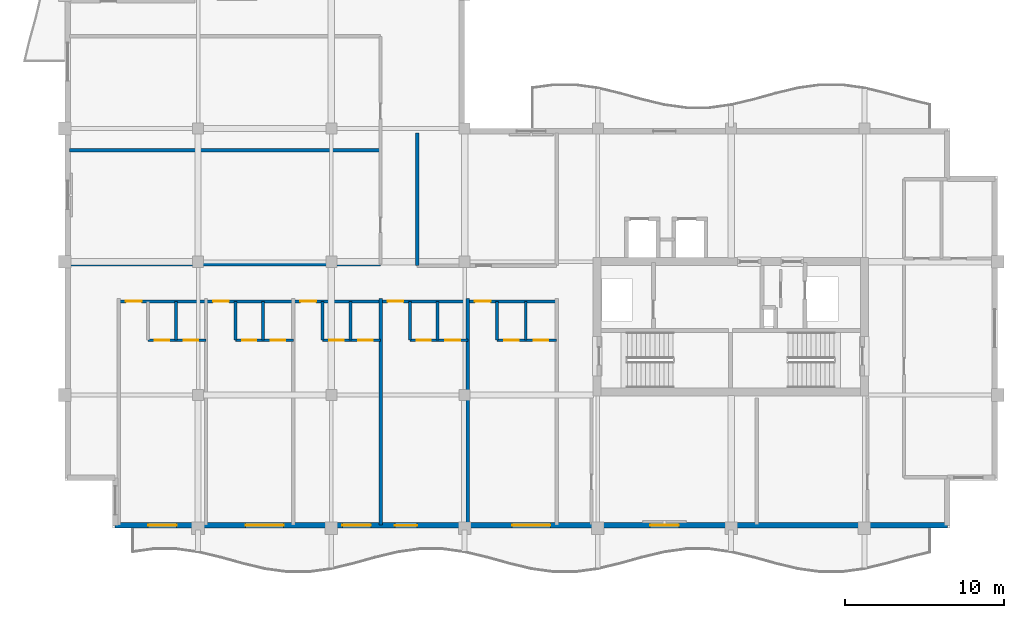
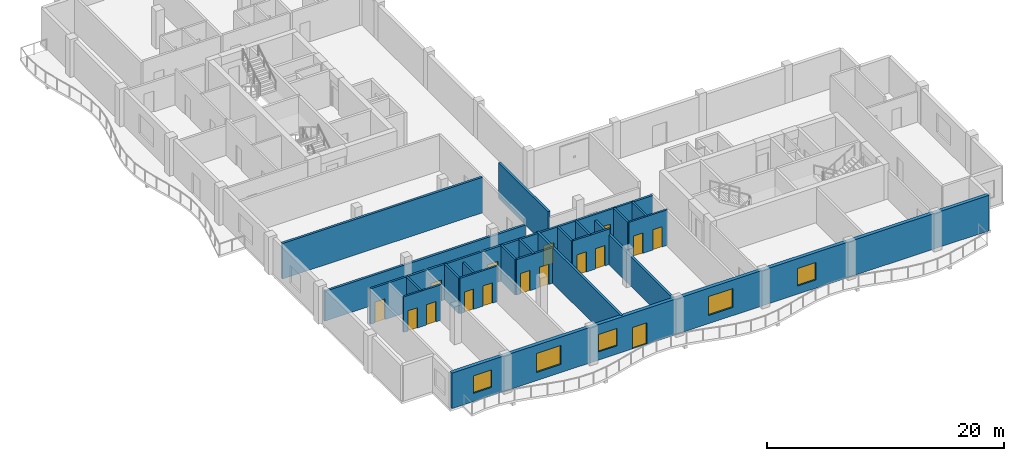
# One storey, part 3 of 12: 21 walls, 16 doors, 5 windows, 21 openings.
"""IFC4 building model written with IfcOpenShell, lengths in metres."""

from ifc_helpers import new_model, si_unit, direction, frame, frame_2d, origin, place, context, subcontext, project, spatial, rectangle, extrude, material, layer, layer_set, type_object, element, fill, save


model = new_model("IFC4")

# Units and contexts
model_context = context("Model", 3, precision=1e-05, world=origin(), true_north=direction((0.0, 1.0)))
body_context = subcontext(model_context, "Body", "Model", "MODEL_VIEW")
ifc_project = project(units=[si_unit("LENGTHUNIT", "METRE"), si_unit("AREAUNIT", "SQUARE_METRE"), si_unit("VOLUMEUNIT", "CUBIC_METRE"), si_unit("PLANEANGLEUNIT", "RADIAN"), si_unit("MASSUNIT", "GRAM", prefix="KILO")], contexts=[model_context])

# Site, building, storey
site_placement = place(None, origin())
site = spatial("IfcSite", under=ifc_project, at=site_placement, CompositionType="ELEMENT")
building_placement = place(site_placement, origin())
building = spatial("IfcBuilding", under=site, at=building_placement, Name="Koriwani Terraces Tower", CompositionType="ELEMENT")
storey_placement = place(building_placement, frame((0.0, 0.0, 351.5)))
storey = spatial("IfcBuildingStorey", under=building, at=storey_placement, Name="L87", CompositionType="ELEMENT", Elevation=351.5)

# Wall, openings, doors
ifc_material_1 = material(Name="Autoclaved Cellular Concrete Blockwork", Category="masonry")
ifc_layer_1 = layer(ifc_material_1, 0.199951171875, Name="Autoclaved Cellular Concrete Blockwork")
ifc_layer_set_1 = layer_set([ifc_layer_1], Name="Autoclaved Cellular Concrete Blockwork")
wall_type_1 = type_object("IfcWallType", Name="WALL_CORRIDOR_200", PredefinedType="PARTITIONING", material=ifc_layer_set_1)
wall_1_placement = place(storey_placement, frame((11.800048828125, 22.699951171875, 0.0), z_axis=(0.0, 0.0, 1.0), x_axis=(1.0, 0.0, 0.0)))
wall_1 = element("IfcWall", 1, at=wall_1_placement, inside=storey, type_object=wall_type_1, Name="L87 Interior Wall WRCOR-L87-SW-0", PredefinedType="PARTITIONING", context=body_context, shape_type="SweptSolid", body=[
    extrude(rectangle(XDim=27.599853515625, YDim=0.199951171875, at=frame_2d((13.7998046875, 0.0))), origin(), (0.0, 0.0, 1.0), 3.669921875),
])
opening_1_placement = place(wall_1_placement, frame((0.445068359375, 0.0, 0.0)))
opening_1 = element("IfcOpeningElement", 2, at=opening_1_placement, cuts=wall_1, Name="Opening D-05", PredefinedType="OPENING", context=body_context, shape_type="SweptSolid", body=[
    extrude(rectangle(XDim=1.0, YDim=2.14990234375, at=frame_2d((0.5, 1.074951171875))), frame((0.0, 0.10986328125, 0.0), z_axis=(0.0, -1.0, 0.0), x_axis=(1.0, 0.0, 0.0)), (0.0, 0.0, 1.0), 0.219970703125),
])
opening_2_placement = place(wall_1_placement, frame((5.945068359375, 0.0, 0.0)))
opening_2 = element("IfcOpeningElement", 3, at=opening_2_placement, cuts=wall_1, Name="Opening D-05", PredefinedType="OPENING", context=body_context, shape_type="SweptSolid", body=[
    extrude(rectangle(XDim=1.0, YDim=2.14990234375, at=frame_2d((0.5, 1.074951171875))), frame((0.0, 0.10986328125, 0.0), z_axis=(0.0, -1.0, 0.0), x_axis=(1.0, 0.0, 0.0)), (0.0, 0.0, 1.0), 0.219970703125),
])
opening_3_placement = place(wall_1_placement, frame((11.445068359375, 0.0, 0.0)))
opening_3 = element("IfcOpeningElement", 4, at=opening_3_placement, cuts=wall_1, Name="Opening D-05", PredefinedType="OPENING", context=body_context, shape_type="SweptSolid", body=[
    extrude(rectangle(XDim=1.0, YDim=2.14990234375, at=frame_2d((0.5, 1.074951171875))), frame((0.0, 0.10986328125, 0.0), z_axis=(0.0, -1.0, 0.0), x_axis=(1.0, 0.0, 0.0)), (0.0, 0.0, 1.0), 0.219970703125),
])
opening_4_placement = place(wall_1_placement, frame((16.945068359375, 0.0, 0.0)))
opening_4 = element("IfcOpeningElement", 5, at=opening_4_placement, cuts=wall_1, Name="Opening D-05", PredefinedType="OPENING", context=body_context, shape_type="SweptSolid", body=[
    extrude(rectangle(XDim=1.0, YDim=2.14990234375, at=frame_2d((0.5, 1.074951171875))), frame((0.0, 0.10986328125, 0.0), z_axis=(0.0, -1.0, 0.0), x_axis=(1.0, 0.0, 0.0)), (0.0, 0.0, 1.0), 0.219970703125),
])
opening_5_placement = place(wall_1_placement, frame((22.445068359375, 0.0, 0.0)))
opening_5 = element("IfcOpeningElement", 6, at=opening_5_placement, cuts=wall_1, Name="Opening D-05", PredefinedType="OPENING", context=body_context, shape_type="SweptSolid", body=[
    extrude(rectangle(XDim=1.0, YDim=2.14990234375, at=frame_2d((0.5, 1.074951171875))), frame((0.0, 0.10986328125, 0.0), z_axis=(0.0, -1.0, 0.0), x_axis=(1.0, 0.0, 0.0)), (0.0, 0.0, 1.0), 0.219970703125),
])
ifc_material_2 = material(Name="Architectural Oak Fire Door", Category="wood")
door_type_1 = type_object("IfcDoorType", Name="DOOR_SUITE_ENTRY_1000X2150", OperationType="NOTDEFINED", PredefinedType="DOOR", material=ifc_material_2)
door_1_placement = place(opening_1_placement, origin())
door_1 = element("IfcDoor", 7, at=door_1_placement, inside=storey, type_object=door_type_1, Name="Apartment 87SW1 Entrance Door", OperationType="SINGLE_SWING_RIGHT", OverallHeight=2.14990234375, OverallWidth=1.0, PredefinedType="DOOR", context=body_context, shape_type="SweptSolid", body=[
    extrude(rectangle(XDim=1.0, YDim=2.14990234375, at=frame_2d((0.5, 1.074951171875))), frame((0.0, 0.02490234375, 0.0), z_axis=(0.0, -1.0, 0.0), x_axis=(1.0, 0.0, 0.0)), (0.0, 0.0, 1.0), 0.050048828125),
])
fill(opening_1, door_1)
door_2_placement = place(opening_2_placement, origin())
door_2 = element("IfcDoor", 8, at=door_2_placement, inside=storey, type_object=door_type_1, Name="Apartment 87SW2 Entrance Door", OperationType="SINGLE_SWING_LEFT", OverallHeight=2.14990234375, OverallWidth=1.0, PredefinedType="DOOR", context=body_context, shape_type="SweptSolid", body=[
    extrude(rectangle(XDim=1.0, YDim=2.14990234375, at=frame_2d((0.5, 1.074951171875))), frame((0.0, 0.02490234375, 0.0), z_axis=(0.0, -1.0, 0.0), x_axis=(1.0, 0.0, 0.0)), (0.0, 0.0, 1.0), 0.050048828125),
])
fill(opening_2, door_2)
door_3_placement = place(opening_3_placement, origin())
door_3 = element("IfcDoor", 9, at=door_3_placement, inside=storey, type_object=door_type_1, Name="Apartment 87SW3 Entrance Door", OperationType="SINGLE_SWING_RIGHT", OverallHeight=2.14990234375, OverallWidth=1.0, PredefinedType="DOOR", context=body_context, shape_type="SweptSolid", body=[
    extrude(rectangle(XDim=1.0, YDim=2.14990234375, at=frame_2d((0.5, 1.074951171875))), frame((0.0, 0.02490234375, 0.0), z_axis=(0.0, -1.0, 0.0), x_axis=(1.0, 0.0, 0.0)), (0.0, 0.0, 1.0), 0.050048828125),
])
fill(opening_3, door_3)
door_4_placement = place(opening_4_placement, origin())
door_4 = element("IfcDoor", 10, at=door_4_placement, inside=storey, type_object=door_type_1, Name="Apartment 87SW4 Entrance Door", OperationType="SINGLE_SWING_LEFT", OverallHeight=2.14990234375, OverallWidth=1.0, PredefinedType="DOOR", context=body_context, shape_type="SweptSolid", body=[
    extrude(rectangle(XDim=1.0, YDim=2.14990234375, at=frame_2d((0.5, 1.074951171875))), frame((0.0, 0.02490234375, 0.0), z_axis=(0.0, -1.0, 0.0), x_axis=(1.0, 0.0, 0.0)), (0.0, 0.0, 1.0), 0.050048828125),
])
fill(opening_4, door_4)
door_5_placement = place(opening_5_placement, origin())
door_5 = element("IfcDoor", 11, at=door_5_placement, inside=storey, type_object=door_type_1, Name="Apartment 87SW5 Entrance Door", OperationType="SINGLE_SWING_RIGHT", OverallHeight=2.14990234375, OverallWidth=1.0, PredefinedType="DOOR", context=body_context, shape_type="SweptSolid", body=[
    extrude(rectangle(XDim=1.0, YDim=2.14990234375, at=frame_2d((0.5, 1.074951171875))), frame((0.0, 0.02490234375, 0.0), z_axis=(0.0, -1.0, 0.0), x_axis=(1.0, 0.0, 0.0)), (0.0, 0.0, 1.0), 0.050048828125),
])
fill(opening_5, door_5)

# Walls
ifc_layer_2 = layer(ifc_material_1, 0.219970703125, Name="Autoclaved Cellular Concrete Blockwork")
ifc_layer_set_2 = layer_set([ifc_layer_2], Name="Autoclaved Cellular Concrete Blockwork")
wall_type_2 = type_object("IfcWallType", Name="WALL_DEMISING_220", PredefinedType="PARTITIONING", material=ifc_layer_set_2)
wall_2_placement = place(storey_placement, frame((30.60009765625, 24.949951171875, 0.0), z_axis=(0.0, 0.0, 1.0), x_axis=(0.0, 1.0, 0.0)))
element("IfcWall", 12, at=wall_2_placement, inside=storey, type_object=wall_type_2, Name="L87 Interior Wall WIC4SW-L87", PredefinedType="PARTITIONING", context=body_context, shape_type="SweptSolid", body=[
    extrude(rectangle(XDim=8.35009765625, YDim=0.219970703125, at=frame_2d((4.175048828125, 0.0))), origin(), (0.0, 0.0, 1.0), 3.669921875),
])
wall_3_placement = place(storey_placement, frame((28.300048828125, 8.60009765625, 0.0), z_axis=(0.0, 0.0, 1.0), x_axis=(0.0, 1.0, 0.0)))
element("IfcWall", 13, at=wall_3_placement, inside=storey, type_object=wall_type_2, Name="L87 Interior Wall WRDEM-L87-SW-3", PredefinedType="PARTITIONING", context=body_context, shape_type="SweptSolid", body=[
    extrude(rectangle(XDim=14.27978515625, YDim=0.219970703125, at=frame_2d((7.139892578125, 0.0))), origin(), (0.0, 0.0, 1.0), 3.669921875),
])
wall_4_placement = place(storey_placement, frame((33.800048828125, 8.60009765625, 0.0), z_axis=(0.0, 0.0, 1.0), x_axis=(0.0, 1.0, 0.0)))
element("IfcWall", 14, at=wall_4_placement, inside=storey, type_object=wall_type_2, Name="L87 Interior Wall WRDEM-L87-SW-4", PredefinedType="PARTITIONING", context=body_context, shape_type="SweptSolid", body=[
    extrude(rectangle(XDim=14.27978515625, YDim=0.219970703125, at=frame_2d((7.139892578125, 0.0))), origin(), (0.0, 0.0, 1.0), 3.070068359375),
])
wall_5_placement = place(storey_placement, frame((8.699951171875, 25.050048828125, 0.0), z_axis=(0.0, 0.0, 1.0), x_axis=(1.0, 0.0, 0.0)))
element("IfcWall", 15, at=wall_5_placement, inside=storey, type_object=wall_type_2, Name="L87 Interior Wall WZ4NES-L87", PredefinedType="PARTITIONING", context=body_context, shape_type="SweptSolid", body=[
    extrude(rectangle(XDim=19.60009765625, YDim=0.219970703125, at=frame_2d((9.800048828125, 0.0))), origin(), (0.0, 0.0, 1.0), 3.070068359375),
])
wall_6_placement = place(storey_placement, frame((8.699951171875, 32.22509765625, 0.0), z_axis=(0.0, 0.0, 1.0), x_axis=(1.0, 0.0, 0.0)))
element("IfcWall", 16, at=wall_6_placement, inside=storey, type_object=wall_type_2, Name="L87 Interior Wall WZ4NEM-L87", PredefinedType="PARTITIONING", context=body_context, shape_type="SweptSolid", body=[
    extrude(rectangle(XDim=19.60009765625, YDim=0.219970703125, at=frame_2d((9.800048828125, 0.0))), origin(), (0.0, 0.0, 1.0), 3.669921875),
])

# Wall, openings, door, windows
ifc_material_3 = material(Name="Concrete C50/60", Category="concrete")
ifc_layer_3 = layer(ifc_material_3, 0.35009765625, Name="Concrete C50/60")
ifc_layer_set_3 = layer_set([ifc_layer_3], Name="Concrete C50/60")
wall_type_3 = type_object("IfcWallType", Name="WALL_EXT_BRUTALIST_350", PredefinedType="STANDARD", material=ifc_layer_set_3)
wall_7_placement = place(storey_placement, frame((64.02490234375, 8.574951171875, 0.0), z_axis=(0.0, 0.0, 1.0), x_axis=(-1.0, 0.0, 0.0)))
wall_7 = element("IfcWall", 17, at=wall_7_placement, inside=storey, type_object=wall_type_3, Name="L87 Fair-Faced Brutalist Exterior Wall (S)", PredefinedType="STANDARD", context=body_context, shape_type="SweptSolid", body=[
    extrude(rectangle(XDim=52.449951171875, YDim=0.35009765625, at=frame_2d((26.22509765625, 0.0))), origin(), (0.0, 0.0, 1.0), 3.669921875),
])
opening_6_placement = place(wall_7_placement, frame((33.425048828125, 0.0, 0.0)))
opening_6 = element("IfcOpeningElement", 18, at=opening_6_placement, cuts=wall_7, Name="Opening D-09", PredefinedType="OPENING", context=body_context, shape_type="SweptSolid", body=[
    extrude(rectangle(XDim=1.39990234375, YDim=2.199951171875, at=frame_2d((0.699951171875, 1.10009765625))), frame((0.0, 0.18505859375, 0.0), z_axis=(0.0, -1.0, 0.0), x_axis=(1.0, 0.0, 0.0)), (0.0, 0.0, 1.0), 0.3701171875),
])
opening_7_placement = place(wall_7_placement, frame((41.824951171875, 0.0, 0.85009765625)))
opening_7 = element("IfcOpeningElement", 19, at=opening_7_placement, cuts=wall_7, Name="Opening W-03", PredefinedType="OPENING", context=body_context, shape_type="SweptSolid", body=[
    extrude(rectangle(XDim=2.39990234375, YDim=1.949951171875, at=frame_2d((1.199951171875, 0.97509765625))), frame((0.0, 0.18505859375, 0.0), z_axis=(0.0, -1.0, 0.0), x_axis=(1.0, 0.0, 0.0)), (0.0, 0.0, 1.0), 0.3701171875),
])
opening_8_placement = place(wall_7_placement, frame((25.02490234375, 0.0, 0.85009765625)))
opening_8 = element("IfcOpeningElement", 20, at=opening_8_placement, cuts=wall_7, Name="Opening W-03", PredefinedType="OPENING", context=body_context, shape_type="SweptSolid", body=[
    extrude(rectangle(XDim=2.39990234375, YDim=1.949951171875, at=frame_2d((1.199951171875, 0.97509765625))), frame((0.0, 0.18505859375, 0.0), z_axis=(0.0, -1.0, 0.0), x_axis=(1.0, 0.0, 0.0)), (0.0, 0.0, 1.0), 0.3701171875),
])
opening_9_placement = place(wall_7_placement, frame((16.925048828125, 0.0, 0.85009765625)))
opening_9 = element("IfcOpeningElement", 21, at=opening_9_placement, cuts=wall_7, Name="Opening W-04", PredefinedType="OPENING", context=body_context, shape_type="SweptSolid", body=[
    extrude(rectangle(XDim=1.800048828125, YDim=1.800048828125, at=frame_2d((0.89990234375, 0.89990234375))), frame((0.0, 0.18505859375, 0.0), z_axis=(0.0, -1.0, 0.0), x_axis=(1.0, 0.0, 0.0)), (0.0, 0.0, 1.0), 0.3701171875),
])
opening_10_placement = place(wall_7_placement, frame((48.574951171875, 0.0, 0.85009765625)))
opening_10 = element("IfcOpeningElement", 22, at=opening_10_placement, cuts=wall_7, Name="Opening W-04", PredefinedType="OPENING", context=body_context, shape_type="SweptSolid", body=[
    extrude(rectangle(XDim=1.800048828125, YDim=1.800048828125, at=frame_2d((0.89990234375, 0.89990234375))), frame((0.0, 0.18505859375, 0.0), z_axis=(0.0, -1.0, 0.0), x_axis=(1.0, 0.0, 0.0)), (0.0, 0.0, 1.0), 0.3701171875),
])
opening_11_placement = place(wall_7_placement, frame((36.324951171875, 0.0, 0.85009765625)))
opening_11 = element("IfcOpeningElement", 23, at=opening_11_placement, cuts=wall_7, Name="Opening W-04", PredefinedType="OPENING", context=body_context, shape_type="SweptSolid", body=[
    extrude(rectangle(XDim=1.800048828125, YDim=1.800048828125, at=frame_2d((0.89990234375, 0.89990234375))), frame((0.0, 0.18505859375, 0.0), z_axis=(0.0, -1.0, 0.0), x_axis=(1.0, 0.0, 0.0)), (0.0, 0.0, 1.0), 0.3701171875),
])
ifc_material_4 = material(Name="Anodised Bronze Aluminium", Category="aluminium")
door_type_2 = type_object("IfcDoorType", Name="DOOR_BALCONY_GLAZED_1400X2200", OperationType="NOTDEFINED", PredefinedType="DOOR", material=ifc_material_4)
door_6_placement = place(opening_6_placement, origin())
door_6 = element("IfcDoor", 24, at=door_6_placement, inside=storey, type_object=door_type_2, Name="L87 South Balcony Glazed Door", OperationType="SINGLE_SWING_LEFT", OverallHeight=2.199951171875, OverallWidth=1.39990234375, PredefinedType="DOOR", context=body_context, shape_type="SweptSolid", body=[
    extrude(rectangle(XDim=1.39990234375, YDim=2.199951171875, at=frame_2d((0.699951171875, 1.10009765625))), frame((0.0, 0.02490234375, 0.0), z_axis=(0.0, -1.0, 0.0), x_axis=(1.0, 0.0, 0.0)), (0.0, 0.0, 1.0), 0.050048828125),
])
fill(opening_6, door_6)
ifc_material_5 = material(Name="Tempered Laminated Low-E Glass", Category="glass")
window_type_1 = type_object("IfcWindowType", Name="WIN_RES_BED_1800X1800", PartitioningType="DOUBLE_PANEL_VERTICAL", PredefinedType="WINDOW", material=ifc_material_5)
window_1_placement = place(opening_9_placement, origin())
window_1 = element("IfcWindow", 25, at=window_1_placement, inside=storey, type_object=window_type_1, Name="L87 Exterior Window (S-12)", OverallHeight=1.800048828125, OverallWidth=1.800048828125, PartitioningType="SINGLE_PANEL", PredefinedType="WINDOW", context=body_context, shape_type="SweptSolid", body=[
    extrude(rectangle(XDim=1.800048828125, YDim=1.800048828125, at=frame_2d((0.89990234375, 0.89990234375))), frame((0.0, 0.030029296875, 0.0), z_axis=(0.0, -1.0, 0.0), x_axis=(1.0, 0.0, 0.0)), (0.0, 0.0, 1.0), 0.06005859375),
])
fill(opening_9, window_1)
window_2_placement = place(opening_10_placement, origin())
window_2 = element("IfcWindow", 26, at=window_2_placement, inside=storey, type_object=window_type_1, Name="L87 Exterior Window (S-R32)", OverallHeight=1.800048828125, OverallWidth=1.800048828125, PartitioningType="SINGLE_PANEL", PredefinedType="WINDOW", context=body_context, shape_type="SweptSolid", body=[
    extrude(rectangle(XDim=1.800048828125, YDim=1.800048828125, at=frame_2d((0.89990234375, 0.89990234375))), frame((0.0, 0.030029296875, 0.0), z_axis=(0.0, -1.0, 0.0), x_axis=(1.0, 0.0, 0.0)), (0.0, 0.0, 1.0), 0.06005859375),
])
fill(opening_10, window_2)
window_3_placement = place(opening_11_placement, origin())
window_3 = element("IfcWindow", 27, at=window_3_placement, inside=storey, type_object=window_type_1, Name="L87 Exterior Window (S-R38)", OverallHeight=1.800048828125, OverallWidth=1.800048828125, PartitioningType="SINGLE_PANEL", PredefinedType="WINDOW", context=body_context, shape_type="SweptSolid", body=[
    extrude(rectangle(XDim=1.800048828125, YDim=1.800048828125, at=frame_2d((0.89990234375, 0.89990234375))), frame((0.0, 0.030029296875, 0.0), z_axis=(0.0, -1.0, 0.0), x_axis=(1.0, 0.0, 0.0)), (0.0, 0.0, 1.0), 0.06005859375),
])
fill(opening_11, window_3)
window_type_2 = type_object("IfcWindowType", Name="WIN_RES_LIVING_2400X1950", PartitioningType="DOUBLE_PANEL_VERTICAL", PredefinedType="WINDOW", material=ifc_material_5)
window_4_placement = place(opening_7_placement, origin())
window_4 = element("IfcWindow", 28, at=window_4_placement, inside=storey, type_object=window_type_2, Name="L87 Exterior Window (S-3)", OverallHeight=1.949951171875, OverallWidth=2.39990234375, PartitioningType="SINGLE_PANEL", PredefinedType="WINDOW", context=body_context, shape_type="SweptSolid", body=[
    extrude(rectangle(XDim=2.39990234375, YDim=1.949951171875, at=frame_2d((1.199951171875, 0.97509765625))), frame((0.0, 0.030029296875, 0.0), z_axis=(0.0, -1.0, 0.0), x_axis=(1.0, 0.0, 0.0)), (0.0, 0.0, 1.0), 0.06005859375),
])
fill(opening_7, window_4)
window_5_placement = place(opening_8_placement, origin())
window_5 = element("IfcWindow", 29, at=window_5_placement, inside=storey, type_object=window_type_2, Name="L87 Exterior Window (S-9)", OverallHeight=1.949951171875, OverallWidth=2.39990234375, PartitioningType="SINGLE_PANEL", PredefinedType="WINDOW", context=body_context, shape_type="SweptSolid", body=[
    extrude(rectangle(XDim=2.39990234375, YDim=1.949951171875, at=frame_2d((1.199951171875, 0.97509765625))), frame((0.0, 0.030029296875, 0.0), z_axis=(0.0, -1.0, 0.0), x_axis=(1.0, 0.0, 0.0)), (0.0, 0.0, 1.0), 0.06005859375),
])
fill(opening_8, window_5)

# Wall, openings, doors
ifc_material_6 = material(Name="Fire-Rated Acoustic Gypsum Partition", Category="masonry")
ifc_layer_4 = layer(ifc_material_6, 0.179931640625, Name="Fire-Rated Acoustic Gypsum Partition")
ifc_layer_set_4 = layer_set([ifc_layer_4], Name="Fire-Rated Acoustic Gypsum Partition")
wall_type_4 = type_object("IfcWallType", Name="WALL_PLUMBING_180", PredefinedType="PLUMBINGWALL", material=ifc_layer_set_4)
wall_8_placement = place(storey_placement, frame((13.64990234375, 20.25, 0.0), z_axis=(0.0, 0.0, 1.0), x_axis=(1.0, 0.0, 0.0)))
wall_8 = element("IfcWall", 30, at=wall_8_placement, inside=storey, type_object=wall_type_4, Name="L87 Interior Wall WRSVC-L87-SW-0", PredefinedType="PLUMBINGWALL", context=body_context, shape_type="SweptSolid", body=[
    extrude(rectangle(XDim=3.650146484375, YDim=0.179931640625, at=frame_2d((1.8251953125, 0.0))), origin(), (0.0, 0.0, 1.0), 3.669921875),
])
opening_12_placement = place(wall_8_placement, frame((0.426025390625, 0.0, 0.0)))
opening_12 = element("IfcOpeningElement", 31, at=opening_12_placement, cuts=wall_8, Name="Opening D-07", PredefinedType="OPENING", context=body_context, shape_type="SweptSolid", body=[
    extrude(rectangle(XDim=0.89990234375, YDim=2.10009765625, at=frame_2d((0.449951171875, 1.050048828125))), frame((0.0, 0.10009765625, 0.0), z_axis=(0.0, -1.0, 0.0), x_axis=(1.0, 0.0, 0.0)), (0.0, 0.0, 1.0), 0.199951171875),
])
opening_13_placement = place(wall_8_placement, frame((2.240966796875, 0.0, 0.0)))
opening_13 = element("IfcOpeningElement", 32, at=opening_13_placement, cuts=wall_8, Name="Opening D-06", PredefinedType="OPENING", context=body_context, shape_type="SweptSolid", body=[
    extrude(rectangle(XDim=0.919921875, YDim=2.10009765625, at=frame_2d((0.4599609375, 1.050048828125))), frame((0.0, 0.10009765625, 0.0), z_axis=(0.0, -1.0, 0.0), x_axis=(1.0, 0.0, 0.0)), (0.0, 0.0, 1.0), 0.199951171875),
])
door_type_3 = type_object("IfcDoorType", Name="DOOR_BATH_INT_900X2100", OperationType="NOTDEFINED", PredefinedType="DOOR", material=ifc_material_2)
door_7_placement = place(opening_12_placement, origin())
door_7 = element("IfcDoor", 33, at=door_7_placement, inside=storey, type_object=door_type_3, Name="Apartment 87SW1 Bathroom Door", OperationType="SINGLE_SWING_LEFT", OverallHeight=2.10009765625, OverallWidth=0.89990234375, PredefinedType="DOOR", context=body_context, shape_type="SweptSolid", body=[
    extrude(rectangle(XDim=0.89990234375, YDim=2.10009765625, at=frame_2d((0.449951171875, 1.050048828125))), frame((0.0, 0.02490234375, 0.0), z_axis=(0.0, -1.0, 0.0), x_axis=(1.0, 0.0, 0.0)), (0.0, 0.0, 1.0), 0.050048828125),
])
fill(opening_12, door_7)
door_type_4 = type_object("IfcDoorType", Name="DOOR_ROOM_INT_920X2100", OperationType="NOTDEFINED", PredefinedType="DOOR", material=ifc_material_2)
door_8_placement = place(opening_13_placement, origin())
door_8 = element("IfcDoor", 34, at=door_8_placement, inside=storey, type_object=door_type_4, Name="Apartment 87SW1 Kitchen Door", OperationType="SINGLE_SWING_RIGHT", OverallHeight=2.10009765625, OverallWidth=0.919921875, PredefinedType="DOOR", context=body_context, shape_type="SweptSolid", body=[
    extrude(rectangle(XDim=0.919921875, YDim=2.10009765625, at=frame_2d((0.4599609375, 1.050048828125))), frame((0.0, 0.02490234375, 0.0), z_axis=(0.0, -1.0, 0.0), x_axis=(1.0, 0.0, 0.0)), (0.0, 0.0, 1.0), 0.050048828125),
])
fill(opening_13, door_8)

# Wall
wall_9_placement = place(storey_placement, frame((15.402099609375, 20.25, 0.0), z_axis=(0.0, 0.0, 1.0), x_axis=(0.0, 1.0, 0.0)))
element("IfcWall", 35, at=wall_9_placement, inside=storey, type_object=wall_type_4, Name="L87 Interior Wall WRSVCM-L87-SW-0", PredefinedType="PLUMBINGWALL", context=body_context, shape_type="SweptSolid", body=[
    extrude(rectangle(XDim=2.449951171875, YDim=0.179931640625, at=frame_2d((1.22509765625, 0.0))), origin(), (0.0, 0.0, 1.0), 3.669921875),
])

# Wall, openings, doors
wall_10_placement = place(storey_placement, frame((19.14990234375, 20.25, 0.0), z_axis=(0.0, 0.0, 1.0), x_axis=(1.0, 0.0, 0.0)))
wall_10 = element("IfcWall", 36, at=wall_10_placement, inside=storey, type_object=wall_type_4, Name="L87 Interior Wall WRSVC-L87-SW-1", PredefinedType="PLUMBINGWALL", context=body_context, shape_type="SweptSolid", body=[
    extrude(rectangle(XDim=3.650146484375, YDim=0.179931640625, at=frame_2d((1.8251953125, 0.0))), origin(), (0.0, 0.0, 1.0), 3.669921875),
])
opening_14_placement = place(wall_10_placement, frame((0.426025390625, 0.0, 0.0)))
opening_14 = element("IfcOpeningElement", 37, at=opening_14_placement, cuts=wall_10, Name="Opening D-07", PredefinedType="OPENING", context=body_context, shape_type="SweptSolid", body=[
    extrude(rectangle(XDim=0.89990234375, YDim=2.10009765625, at=frame_2d((0.449951171875, 1.050048828125))), frame((0.0, 0.10009765625, 0.0), z_axis=(0.0, -1.0, 0.0), x_axis=(1.0, 0.0, 0.0)), (0.0, 0.0, 1.0), 0.199951171875),
])
opening_15_placement = place(wall_10_placement, frame((2.240966796875, 0.0, 0.0)))
opening_15 = element("IfcOpeningElement", 38, at=opening_15_placement, cuts=wall_10, Name="Opening D-06", PredefinedType="OPENING", context=body_context, shape_type="SweptSolid", body=[
    extrude(rectangle(XDim=0.919921875, YDim=2.10009765625, at=frame_2d((0.4599609375, 1.050048828125))), frame((0.0, 0.10009765625, 0.0), z_axis=(0.0, -1.0, 0.0), x_axis=(1.0, 0.0, 0.0)), (0.0, 0.0, 1.0), 0.199951171875),
])
door_9_placement = place(opening_14_placement, origin())
door_9 = element("IfcDoor", 39, at=door_9_placement, inside=storey, type_object=door_type_3, Name="Apartment 87SW2 Bathroom Door", OperationType="SINGLE_SWING_RIGHT", OverallHeight=2.10009765625, OverallWidth=0.89990234375, PredefinedType="DOOR", context=body_context, shape_type="SweptSolid", body=[
    extrude(rectangle(XDim=0.89990234375, YDim=2.10009765625, at=frame_2d((0.449951171875, 1.050048828125))), frame((0.0, 0.02490234375, 0.0), z_axis=(0.0, -1.0, 0.0), x_axis=(1.0, 0.0, 0.0)), (0.0, 0.0, 1.0), 0.050048828125),
])
fill(opening_14, door_9)
door_10_placement = place(opening_15_placement, origin())
door_10 = element("IfcDoor", 40, at=door_10_placement, inside=storey, type_object=door_type_4, Name="Apartment 87SW2 Kitchen Door", OperationType="SINGLE_SWING_LEFT", OverallHeight=2.10009765625, OverallWidth=0.919921875, PredefinedType="DOOR", context=body_context, shape_type="SweptSolid", body=[
    extrude(rectangle(XDim=0.919921875, YDim=2.10009765625, at=frame_2d((0.4599609375, 1.050048828125))), frame((0.0, 0.02490234375, 0.0), z_axis=(0.0, -1.0, 0.0), x_axis=(1.0, 0.0, 0.0)), (0.0, 0.0, 1.0), 0.050048828125),
])
fill(opening_15, door_10)

# Walls
wall_11_placement = place(storey_placement, frame((19.14990234375, 20.25, 0.0), z_axis=(0.0, 0.0, 1.0), x_axis=(0.0, 1.0, 0.0)))
element("IfcWall", 41, at=wall_11_placement, inside=storey, type_object=wall_type_4, Name="L87 Interior Wall WRSVCS-L87-SW-1", PredefinedType="PLUMBINGWALL", context=body_context, shape_type="SweptSolid", body=[
    extrude(rectangle(XDim=2.449951171875, YDim=0.179931640625, at=frame_2d((1.22509765625, 0.0))), origin(), (0.0, 0.0, 1.0), 3.669921875),
])
wall_12_placement = place(storey_placement, frame((20.902099609375, 20.25, 0.0), z_axis=(0.0, 0.0, 1.0), x_axis=(0.0, 1.0, 0.0)))
element("IfcWall", 42, at=wall_12_placement, inside=storey, type_object=wall_type_4, Name="L87 Interior Wall WRSVCM-L87-SW-1", PredefinedType="PLUMBINGWALL", context=body_context, shape_type="SweptSolid", body=[
    extrude(rectangle(XDim=2.449951171875, YDim=0.179931640625, at=frame_2d((1.22509765625, 0.0))), origin(), (0.0, 0.0, 1.0), 3.2529296875),
])

# Wall, openings, doors
wall_13_placement = place(storey_placement, frame((24.64990234375, 20.25, 0.0), z_axis=(0.0, 0.0, 1.0), x_axis=(1.0, 0.0, 0.0)))
wall_13 = element("IfcWall", 43, at=wall_13_placement, inside=storey, type_object=wall_type_4, Name="L87 Interior Wall WRSVC-L87-SW-2", PredefinedType="PLUMBINGWALL", context=body_context, shape_type="SweptSolid", body=[
    extrude(rectangle(XDim=3.650146484375, YDim=0.179931640625, at=frame_2d((1.8251953125, 0.0))), origin(), (0.0, 0.0, 1.0), 3.669921875),
])
opening_16_placement = place(wall_13_placement, frame((0.426025390625, 0.0, 0.0)))
opening_16 = element("IfcOpeningElement", 44, at=opening_16_placement, cuts=wall_13, Name="Opening D-07", PredefinedType="OPENING", context=body_context, shape_type="SweptSolid", body=[
    extrude(rectangle(XDim=0.89990234375, YDim=2.10009765625, at=frame_2d((0.449951171875, 1.050048828125))), frame((0.0, 0.10009765625, 0.0), z_axis=(0.0, -1.0, 0.0), x_axis=(1.0, 0.0, 0.0)), (0.0, 0.0, 1.0), 0.199951171875),
])
opening_17_placement = place(wall_13_placement, frame((2.240966796875, 0.0, 0.0)))
opening_17 = element("IfcOpeningElement", 45, at=opening_17_placement, cuts=wall_13, Name="Opening D-06", PredefinedType="OPENING", context=body_context, shape_type="SweptSolid", body=[
    extrude(rectangle(XDim=0.919921875, YDim=2.10009765625, at=frame_2d((0.4599609375, 1.050048828125))), frame((0.0, 0.10009765625, 0.0), z_axis=(0.0, -1.0, 0.0), x_axis=(1.0, 0.0, 0.0)), (0.0, 0.0, 1.0), 0.199951171875),
])
door_11_placement = place(opening_16_placement, origin())
door_11 = element("IfcDoor", 46, at=door_11_placement, inside=storey, type_object=door_type_3, Name="Apartment 87SW3 Bathroom Door", OperationType="SINGLE_SWING_LEFT", OverallHeight=2.10009765625, OverallWidth=0.89990234375, PredefinedType="DOOR", context=body_context, shape_type="SweptSolid", body=[
    extrude(rectangle(XDim=0.89990234375, YDim=2.10009765625, at=frame_2d((0.449951171875, 1.050048828125))), frame((0.0, 0.02490234375, 0.0), z_axis=(0.0, -1.0, 0.0), x_axis=(1.0, 0.0, 0.0)), (0.0, 0.0, 1.0), 0.050048828125),
])
fill(opening_16, door_11)
door_12_placement = place(opening_17_placement, origin())
door_12 = element("IfcDoor", 47, at=door_12_placement, inside=storey, type_object=door_type_4, Name="Apartment 87SW3 Kitchen Door", OperationType="SINGLE_SWING_RIGHT", OverallHeight=2.10009765625, OverallWidth=0.919921875, PredefinedType="DOOR", context=body_context, shape_type="SweptSolid", body=[
    extrude(rectangle(XDim=0.919921875, YDim=2.10009765625, at=frame_2d((0.4599609375, 1.050048828125))), frame((0.0, 0.02490234375, 0.0), z_axis=(0.0, -1.0, 0.0), x_axis=(1.0, 0.0, 0.0)), (0.0, 0.0, 1.0), 0.050048828125),
])
fill(opening_17, door_12)

# Walls
for number, where, z_axis, x_axis, name in (
    (48, (24.64990234375, 20.25, 0.0), (0.0, 0.0, 1.0), (0.0, 1.0, 0.0), "L87 Interior Wall WRSVCS-L87-SW-2"),
    (49, (26.402099609375, 20.25, 0.0), (0.0, 0.0, 1.0), (0.0, 1.0, 0.0), "L87 Interior Wall WRSVCM-L87-SW-2"),
):
    element("IfcWall", number, at=place(storey_placement, frame(where, z_axis=z_axis, x_axis=x_axis)), inside=storey, type_object=wall_type_4, Name=name, PredefinedType="PLUMBINGWALL", context=body_context, shape_type="SweptSolid", body=[
        extrude(rectangle(XDim=2.449951171875, YDim=0.179931640625, at=frame_2d((1.22509765625, 0.0))), origin(), (0.0, 0.0, 1.0), 3.669921875),
    ])

# Wall, openings, doors
wall_14_placement = place(storey_placement, frame((30.14990234375, 20.25, 0.0), z_axis=(0.0, 0.0, 1.0), x_axis=(1.0, 0.0, 0.0)))
wall_14 = element("IfcWall", 50, at=wall_14_placement, inside=storey, type_object=wall_type_4, Name="L87 Interior Wall WRSVC-L87-SW-3", PredefinedType="PLUMBINGWALL", context=body_context, shape_type="SweptSolid", body=[
    extrude(rectangle(XDim=3.650146484375, YDim=0.179931640625, at=frame_2d((1.8251953125, 0.0))), origin(), (0.0, 0.0, 1.0), 3.669921875),
])
opening_18_placement = place(wall_14_placement, frame((0.426025390625, 0.0, 0.0)))
opening_18 = element("IfcOpeningElement", 51, at=opening_18_placement, cuts=wall_14, Name="Opening D-07", PredefinedType="OPENING", context=body_context, shape_type="SweptSolid", body=[
    extrude(rectangle(XDim=0.89990234375, YDim=2.10009765625, at=frame_2d((0.449951171875, 1.050048828125))), frame((0.0, 0.10009765625, 0.0), z_axis=(0.0, -1.0, 0.0), x_axis=(1.0, 0.0, 0.0)), (0.0, 0.0, 1.0), 0.199951171875),
])
opening_19_placement = place(wall_14_placement, frame((2.240966796875, 0.0, 0.0)))
opening_19 = element("IfcOpeningElement", 52, at=opening_19_placement, cuts=wall_14, Name="Opening D-06", PredefinedType="OPENING", context=body_context, shape_type="SweptSolid", body=[
    extrude(rectangle(XDim=0.919921875, YDim=2.10009765625, at=frame_2d((0.4599609375, 1.050048828125))), frame((0.0, 0.10009765625, 0.0), z_axis=(0.0, -1.0, 0.0), x_axis=(1.0, 0.0, 0.0)), (0.0, 0.0, 1.0), 0.199951171875),
])
door_13_placement = place(opening_18_placement, origin())
door_13 = element("IfcDoor", 53, at=door_13_placement, inside=storey, type_object=door_type_3, Name="Apartment 87SW4 Bathroom Door", OperationType="SINGLE_SWING_RIGHT", OverallHeight=2.10009765625, OverallWidth=0.89990234375, PredefinedType="DOOR", context=body_context, shape_type="SweptSolid", body=[
    extrude(rectangle(XDim=0.89990234375, YDim=2.10009765625, at=frame_2d((0.449951171875, 1.050048828125))), frame((0.0, 0.02490234375, 0.0), z_axis=(0.0, -1.0, 0.0), x_axis=(1.0, 0.0, 0.0)), (0.0, 0.0, 1.0), 0.050048828125),
])
fill(opening_18, door_13)
door_14_placement = place(opening_19_placement, origin())
door_14 = element("IfcDoor", 54, at=door_14_placement, inside=storey, type_object=door_type_4, Name="Apartment 87SW4 Kitchen Door", OperationType="SINGLE_SWING_LEFT", OverallHeight=2.10009765625, OverallWidth=0.919921875, PredefinedType="DOOR", context=body_context, shape_type="SweptSolid", body=[
    extrude(rectangle(XDim=0.919921875, YDim=2.10009765625, at=frame_2d((0.4599609375, 1.050048828125))), frame((0.0, 0.02490234375, 0.0), z_axis=(0.0, -1.0, 0.0), x_axis=(1.0, 0.0, 0.0)), (0.0, 0.0, 1.0), 0.050048828125),
])
fill(opening_19, door_14)

# Walls
for number, where, z_axis, x_axis, name in (
    (55, (30.14990234375, 20.25, 0.0), (0.0, 0.0, 1.0), (0.0, 1.0, 0.0), "L87 Interior Wall WRSVCS-L87-SW-3"),
    (56, (31.902099609375, 20.25, 0.0), (0.0, 0.0, 1.0), (0.0, 1.0, 0.0), "L87 Interior Wall WRSVCM-L87-SW-3"),
):
    element("IfcWall", number, at=place(storey_placement, frame(where, z_axis=z_axis, x_axis=x_axis)), inside=storey, type_object=wall_type_4, Name=name, PredefinedType="PLUMBINGWALL", context=body_context, shape_type="SweptSolid", body=[
        extrude(rectangle(XDim=2.449951171875, YDim=0.179931640625, at=frame_2d((1.22509765625, 0.0))), origin(), (0.0, 0.0, 1.0), 3.669921875),
    ])

# Wall, openings, doors
wall_15_placement = place(storey_placement, frame((35.64990234375, 20.25, 0.0), z_axis=(0.0, 0.0, 1.0), x_axis=(1.0, 0.0, 0.0)))
wall_15 = element("IfcWall", 57, at=wall_15_placement, inside=storey, type_object=wall_type_4, Name="L87 Interior Wall WRSVC-L87-SW-4", PredefinedType="PLUMBINGWALL", context=body_context, shape_type="SweptSolid", body=[
    extrude(rectangle(XDim=3.75, YDim=0.179931640625, at=frame_2d((1.875, 0.0))), origin(), (0.0, 0.0, 1.0), 3.669921875),
])
opening_20_placement = place(wall_15_placement, frame((0.449951171875, 0.0, 0.0)))
opening_20 = element("IfcOpeningElement", 58, at=opening_20_placement, cuts=wall_15, Name="Opening D-07", PredefinedType="OPENING", context=body_context, shape_type="SweptSolid", body=[
    extrude(rectangle(XDim=0.89990234375, YDim=2.10009765625, at=frame_2d((0.449951171875, 1.050048828125))), frame((0.0, 0.10009765625, 0.0), z_axis=(0.0, -1.0, 0.0), x_axis=(1.0, 0.0, 0.0)), (0.0, 0.0, 1.0), 0.199951171875),
])
opening_21_placement = place(wall_15_placement, frame((2.31494140625, 0.0, 0.0)))
opening_21 = element("IfcOpeningElement", 59, at=opening_21_placement, cuts=wall_15, Name="Opening D-06", PredefinedType="OPENING", context=body_context, shape_type="SweptSolid", body=[
    extrude(rectangle(XDim=0.919921875, YDim=2.10009765625, at=frame_2d((0.4599609375, 1.050048828125))), frame((0.0, 0.10009765625, 0.0), z_axis=(0.0, -1.0, 0.0), x_axis=(1.0, 0.0, 0.0)), (0.0, 0.0, 1.0), 0.199951171875),
])
door_15_placement = place(opening_20_placement, origin())
door_15 = element("IfcDoor", 60, at=door_15_placement, inside=storey, type_object=door_type_3, Name="Apartment 87SW5 Bathroom Door", OperationType="SINGLE_SWING_LEFT", OverallHeight=2.10009765625, OverallWidth=0.89990234375, PredefinedType="DOOR", context=body_context, shape_type="SweptSolid", body=[
    extrude(rectangle(XDim=0.89990234375, YDim=2.10009765625, at=frame_2d((0.449951171875, 1.050048828125))), frame((0.0, 0.02490234375, 0.0), z_axis=(0.0, -1.0, 0.0), x_axis=(1.0, 0.0, 0.0)), (0.0, 0.0, 1.0), 0.050048828125),
])
fill(opening_20, door_15)
door_16_placement = place(opening_21_placement, origin())
door_16 = element("IfcDoor", 61, at=door_16_placement, inside=storey, type_object=door_type_4, Name="Apartment 87SW5 Kitchen Door", OperationType="SINGLE_SWING_RIGHT", OverallHeight=2.10009765625, OverallWidth=0.919921875, PredefinedType="DOOR", context=body_context, shape_type="SweptSolid", body=[
    extrude(rectangle(XDim=0.919921875, YDim=2.10009765625, at=frame_2d((0.4599609375, 1.050048828125))), frame((0.0, 0.02490234375, 0.0), z_axis=(0.0, -1.0, 0.0), x_axis=(1.0, 0.0, 0.0)), (0.0, 0.0, 1.0), 0.050048828125),
])
fill(opening_21, door_16)

# Walls
for number, where, z_axis, x_axis, name in (
    (62, (35.64990234375, 20.25, 0.0), (0.0, 0.0, 1.0), (0.0, 1.0, 0.0), "L87 Interior Wall WRSVCS-L87-SW-4"),
    (63, (37.449951171875, 20.25, 0.0), (0.0, 0.0, 1.0), (0.0, 1.0, 0.0), "L87 Interior Wall WRSVCM-L87-SW-4"),
):
    element("IfcWall", number, at=place(storey_placement, frame(where, z_axis=z_axis, x_axis=x_axis)), inside=storey, type_object=wall_type_4, Name=name, PredefinedType="PLUMBINGWALL", context=body_context, shape_type="SweptSolid", body=[
        extrude(rectangle(XDim=2.449951171875, YDim=0.179931640625, at=frame_2d((1.22509765625, 0.0))), origin(), (0.0, 0.0, 1.0), 3.669921875),
    ])

save(model, "model.ifc")
